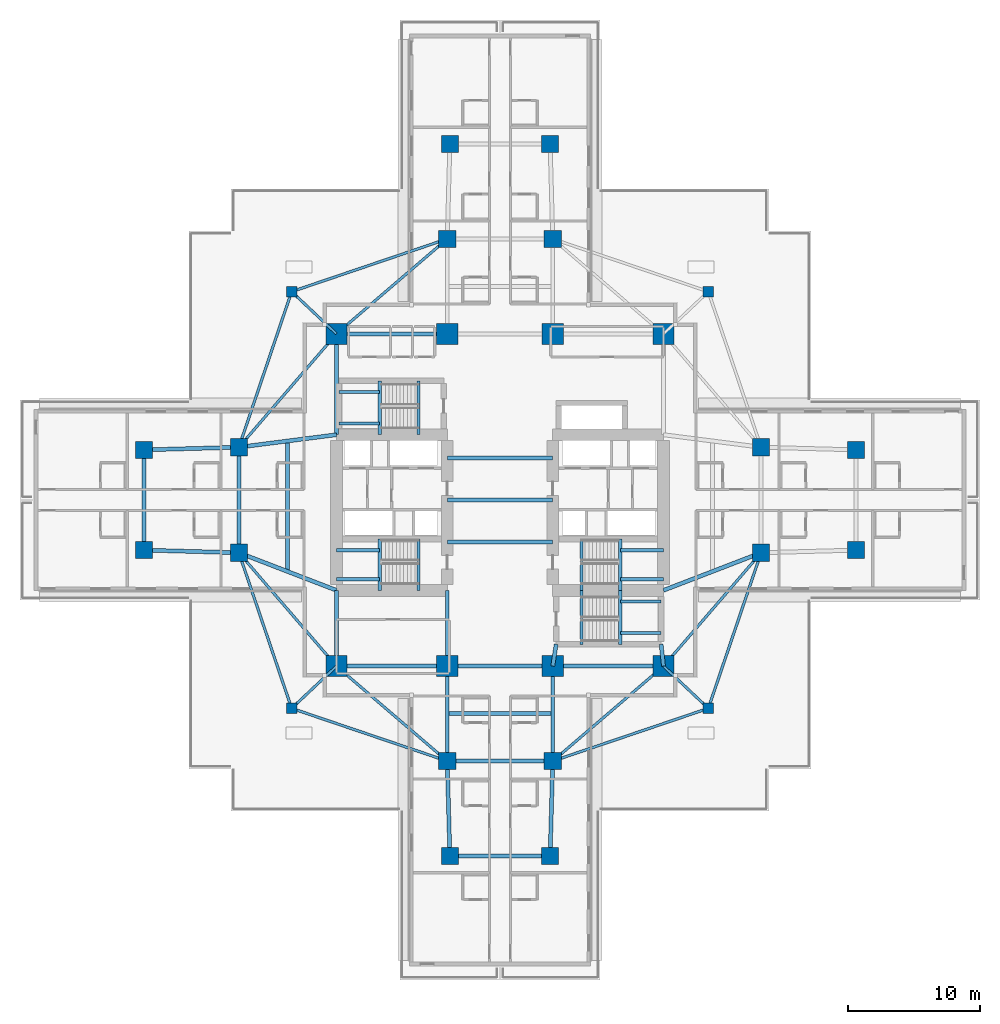
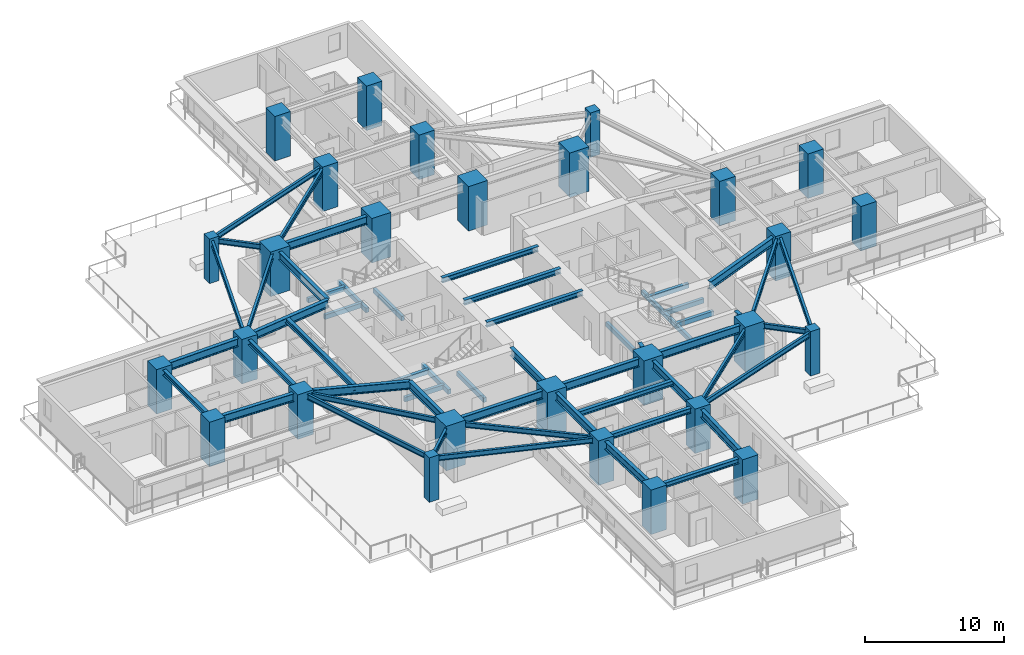
# One storey, part 1 of 15: 58 beams, 28 columns.
"""IFC4 building model written with IfcOpenShell, lengths in metres."""

from ifc_helpers import new_model, si_unit, direction, frame, origin, origin_2d, place, context, subcontext, project, spatial, rectangle, i_section, extrude, material, material_profile, profile_set, type_object, element, save


model = new_model("IFC4")

# Units and contexts
model_context = context("Model", 3, precision=1e-05, world=origin(), true_north=direction((0.0, 1.0)))
body_context = subcontext(model_context, "Body", "Model", "MODEL_VIEW")
ifc_project = project(units=[si_unit("LENGTHUNIT", "METRE"), si_unit("AREAUNIT", "SQUARE_METRE"), si_unit("VOLUMEUNIT", "CUBIC_METRE"), si_unit("PLANEANGLEUNIT", "RADIAN"), si_unit("MASSUNIT", "GRAM", prefix="KILO")], contexts=[model_context])

# Site, building, storey
site_placement = place(None, origin())
site = spatial("IfcSite", under=ifc_project, at=site_placement, CompositionType="ELEMENT")
building_placement = place(site_placement, origin())
building = spatial("IfcBuilding", under=site, at=building_placement, Name="Qingluan Cross Belvedere", CompositionType="ELEMENT")
storey_placement = place(building_placement, frame((0.0, 0.0, 23.699951171875)))
storey = spatial("IfcBuildingStorey", under=building, at=storey_placement, Name="L06", CompositionType="ELEMENT", Elevation=23.699951171875)

# Columns
ifc_material_1 = material(Name="Concrete C60", Category="concrete")
ifc_material_profile_1 = material_profile(ifc_material_1, rectangle(XDim=1.300048828125, YDim=1.300048828125, at=origin_2d()), Name="RC1300x1300")
ifc_profile_set_1 = profile_set([ifc_material_profile_1], Name="Concrete C60")
column_type_1 = type_object("IfcColumnType", Name="Column_RC1300x1300", PredefinedType="COLUMN", material=ifc_profile_set_1)
for number, where, z_axis, x_axis, name in (
    (1, (19.800048828125, -4.0, 0.0), (0.0, 0.0, 1.0), (1.0, 0.0, 0.0), "Arm column L06-EIA"),
    (2, (19.800048828125, 4.0, 0.0), (0.0, 0.0, 1.0), (1.0, 0.0, 0.0), "Arm column L06-EIB"),
    (3, (-19.800048828125, -4.0, 0.0), (0.0, 0.0, 1.0), (1.0, 0.0, 0.0), "Arm column L06-WIA"),
    (4, (-19.800048828125, 4.0, 0.0), (0.0, 0.0, 1.0), (1.0, 0.0, 0.0), "Arm column L06-WIB"),
    (5, (-4.0, -19.800048828125, 0.0), (0.0, 0.0, 1.0), (1.0, 0.0, 0.0), "Arm column L06-SIA"),
    (6, (4.0, -19.800048828125, 0.0), (0.0, 0.0, 1.0), (1.0, 0.0, 0.0), "Arm column L06-SIB"),
    (7, (-4.0, 19.800048828125, 0.0), (0.0, 0.0, 1.0), (1.0, 0.0, 0.0), "Arm column L06-NIA"),
    (8, (4.0, 19.800048828125, 0.0), (0.0, 0.0, 1.0), (1.0, 0.0, 0.0), "Arm column L06-NIB"),
    (9, (27.0, -3.800048828125, 0.0), (0.0, 0.0, 1.0), (1.0, 0.0, 0.0), "Arm column L06-EOA"),
    (10, (27.0, 3.800048828125, 0.0), (0.0, 0.0, 1.0), (1.0, 0.0, 0.0), "Arm column L06-EOB"),
    (11, (-27.0, -3.800048828125, 0.0), (0.0, 0.0, 1.0), (1.0, 0.0, 0.0), "Arm column L06-WOA"),
    (12, (-27.0, 3.800048828125, 0.0), (0.0, 0.0, 1.0), (1.0, 0.0, 0.0), "Arm column L06-WOB"),
    (13, (-3.800048828125, -27.0, 0.0), (0.0, 0.0, 1.0), (1.0, 0.0, 0.0), "Arm column L06-SOA"),
    (14, (3.800048828125, -27.0, 0.0), (0.0, 0.0, 1.0), (1.0, 0.0, 0.0), "Arm column L06-SOB"),
    (15, (-3.800048828125, 27.0, 0.0), (0.0, 0.0, 1.0), (1.0, 0.0, 0.0), "Arm column L06-NOA"),
    (16, (3.800048828125, 27.0, 0.0), (0.0, 0.0, 1.0), (1.0, 0.0, 0.0), "Arm column L06-NOB"),
):
    element("IfcColumn", number, at=place(storey_placement, frame(where, z_axis=z_axis, x_axis=x_axis)), inside=storey, type_object=column_type_1, Name=name, PredefinedType="COLUMN", context=body_context, shape_type="SweptSolid", body=[
        extrude(rectangle(XDim=1.300048828125, YDim=1.300048828125, at=origin_2d()), origin(), (0.0, 0.0, 1.0), 3.900146484375),
    ])
ifc_material_2 = material(Name="Concrete C70", Category="concrete")
ifc_material_profile_2 = material_profile(ifc_material_2, rectangle(XDim=1.60009765625, YDim=1.60009765625, at=origin_2d()), Name="RC1600x1600")
ifc_profile_set_2 = profile_set([ifc_material_profile_2], Name="Concrete C70")
column_type_2 = type_object("IfcColumnType", Name="Column_RC1600x1600", PredefinedType="COLUMN", material=ifc_profile_set_2)
for number, where, z_axis, x_axis, name in (
    (17, (-12.39990234375, -12.60009765625, 0.0), (0.0, 0.0, 1.0), (1.0, 0.0, 0.0), "Hub column L06-HC1"),
    (18, (12.39990234375, -12.60009765625, 0.0), (0.0, 0.0, 1.0), (1.0, 0.0, 0.0), "Hub column L06-HC2"),
    (19, (12.39990234375, 12.60009765625, 0.0), (0.0, 0.0, 1.0), (1.0, 0.0, 0.0), "Hub column L06-HC3"),
    (20, (-12.39990234375, 12.60009765625, 0.0), (0.0, 0.0, 1.0), (1.0, 0.0, 0.0), "Hub column L06-HC4"),
    (21, (-4.0, -12.60009765625, 0.0), (0.0, 0.0, 1.0), (1.0, 0.0, 0.0), "Hub column L06-HC5"),
    (22, (4.0, -12.60009765625, 0.0), (0.0, 0.0, 1.0), (1.0, 0.0, 0.0), "Hub column L06-HC6"),
    (23, (4.0, 12.60009765625, 0.0), (0.0, 0.0, 1.0), (1.0, 0.0, 0.0), "Hub column L06-HC7"),
    (24, (-4.0, 12.60009765625, 0.0), (0.0, 0.0, 1.0), (1.0, 0.0, 0.0), "Hub column L06-HC8"),
):
    element("IfcColumn", number, at=place(storey_placement, frame(where, z_axis=z_axis, x_axis=x_axis)), inside=storey, type_object=column_type_2, Name=name, PredefinedType="COLUMN", context=body_context, shape_type="SweptSolid", body=[
        extrude(rectangle(XDim=1.60009765625, YDim=1.60009765625, at=origin_2d()), origin(), (0.0, 0.0, 1.0), 3.900146484375),
    ])
ifc_material_3 = material(Name="Concrete C50", Category="concrete")
ifc_material_profile_3 = material_profile(ifc_material_3, rectangle(XDim=0.800048828125, YDim=0.800048828125, at=origin_2d()), Name="RC800x800")
ifc_profile_set_3 = profile_set([ifc_material_profile_3], Name="Concrete C50")
column_type_3 = type_object("IfcColumnType", Name="Column_RC800x800", PredefinedType="COLUMN", material=ifc_profile_set_3)
for number, where, z_axis, x_axis, name in (
    (25, (15.800048828125, 15.800048828125, 0.0), (0.0, 0.0, 1.0), (1.0, 0.0, 0.0), "Corner column L06-RNE"),
    (26, (-15.800048828125, 15.800048828125, 0.0), (0.0, 0.0, 1.0), (1.0, 0.0, 0.0), "Corner column L06-RNW"),
    (27, (-15.800048828125, -15.800048828125, 0.0), (0.0, 0.0, 1.0), (1.0, 0.0, 0.0), "Corner column L06-RSW"),
    (28, (15.800048828125, -15.800048828125, 0.0), (0.0, 0.0, 1.0), (1.0, 0.0, 0.0), "Corner column L06-RSE"),
):
    element("IfcColumn", number, at=place(storey_placement, frame(where, z_axis=z_axis, x_axis=x_axis)), inside=storey, type_object=column_type_3, Name=name, PredefinedType="COLUMN", context=body_context, shape_type="SweptSolid", body=[
        extrude(rectangle(XDim=0.800048828125, YDim=0.800048828125, at=origin_2d()), origin(), (0.0, 0.0, 1.0), 3.900146484375),
    ])

# Beams
ifc_material_4 = material(Name="Concrete C45", Category="concrete")
ifc_material_profile_4 = material_profile(ifc_material_4, rectangle(XDim=0.25, YDim=0.39990234375, at=origin_2d()), Name="RC250x400")
ifc_profile_set_4 = profile_set([ifc_material_profile_4], Name="Concrete C45")
beam_type_1 = type_object("IfcBeamType", Name="RC_Lintel_RC250x400", PredefinedType="LINTEL", material=ifc_profile_set_4)
for number, where, z_axis, x_axis, name in (
    (29, (-6.179931640625, -6.85009765625, -0.199951171875), (0.0, 1.0, 0.0), (-1.0, 0.0, 0.0), "Stair ST1 landing beam L06"),
    (30, (6.179931640625, -6.85009765625, -0.199951171875), (0.0, 1.0, 0.0), (-1.0, 0.0, 0.0), "Stair ST2 landing beam L06"),
):
    element("IfcBeam", number, at=place(storey_placement, frame(where, z_axis=z_axis, x_axis=x_axis)), inside=storey, type_object=beam_type_1, Name=name, PredefinedType="LINTEL", context=body_context, shape_type="SweptSolid", body=[
        extrude(rectangle(XDim=0.25, YDim=0.39990234375, at=origin_2d()), origin(), (0.0, 0.0, 1.0), 3.89013671875),
    ])
beam_1_placement = place(storey_placement, frame((-6.179931640625, 4.949951171875, -0.199951171875), z_axis=(0.0, 1.0, 0.0), x_axis=(-1.0, 0.0, 0.0)))
element("IfcBeam", 31, at=beam_1_placement, inside=storey, type_object=beam_type_1, Name="Stair ST3 landing beam L06", PredefinedType="LINTEL", context=body_context, shape_type="SweptSolid", body=[
    extrude(rectangle(XDim=0.25, YDim=0.39990234375, at=origin_2d()), origin(), (0.0, 0.0, 1.0), 4.090087890625),
])
beam_2_placement = place(storey_placement, frame((6.179931640625, -10.93994140625, -0.199951171875), z_axis=(0.0, 1.0, 0.0), x_axis=(-1.0, 0.0, 0.0)))
element("IfcBeam", 32, at=beam_2_placement, inside=storey, type_object=beam_type_1, Name="Stair ST4 landing beam L06", PredefinedType="LINTEL", context=body_context, shape_type="SweptSolid", body=[
    extrude(rectangle(XDim=0.25, YDim=0.39990234375, at=origin_2d()), origin(), (0.0, 0.0, 1.0), 4.08984375),
])
beam_3_placement = place(storey_placement, frame((-9.1298828125, -6.85009765625, 1.550048828125), z_axis=(0.0, 1.0, 0.0), x_axis=(-1.0, 0.0, 0.0)))
element("IfcBeam", 33, at=beam_3_placement, inside=storey, type_object=beam_type_1, Name="Stair ST1 beam A L06", PredefinedType="LINTEL", context=body_context, shape_type="SweptSolid", body=[
    extrude(rectangle(XDim=0.25, YDim=0.39990234375, at=origin_2d()), origin(), (0.0, 0.0, 1.0), 3.89013671875),
])
for number, where, z_axis, x_axis, name in (
    (34, (-12.39990234375, -6.0, 1.550048828125), (1.0, 0.0, 0.0), (0.0, 1.0, 0.0), "Stair ST1 beam B L06"),
    (35, (-12.39990234375, -3.81005859375, 1.550048828125), (1.0, 0.0, 0.0), (0.0, 1.0, 0.0), "Stair ST1 beam C L06"),
):
    element("IfcBeam", number, at=place(storey_placement, frame(where, z_axis=z_axis, x_axis=x_axis)), inside=storey, type_object=beam_type_1, Name=name, PredefinedType="LINTEL", context=body_context, shape_type="SweptSolid", body=[
        extrude(rectangle(XDim=0.25, YDim=0.39990234375, at=origin_2d()), origin(), (0.0, 0.0, 1.0), 3.27001953125),
    ])
beam_4_placement = place(storey_placement, frame((9.1298828125, -6.85009765625, 1.550048828125), z_axis=(0.0, 1.0, 0.0), x_axis=(-1.0, 0.0, 0.0)))
element("IfcBeam", 36, at=beam_4_placement, inside=storey, type_object=beam_type_1, Name="Stair ST2 beam A L06", PredefinedType="LINTEL", context=body_context, shape_type="SweptSolid", body=[
    extrude(rectangle(XDim=0.25, YDim=0.39990234375, at=origin_2d()), origin(), (0.0, 0.0, 1.0), 3.89013671875),
])
for number, where, z_axis, x_axis, name in (
    (37, (12.39990234375, -6.0, 1.550048828125), (-1.0, 0.0, 0.0), (0.0, -1.0, 0.0), "Stair ST2 beam B L06"),
    (38, (12.39990234375, -3.81005859375, 1.550048828125), (-1.0, 0.0, 0.0), (0.0, -1.0, 0.0), "Stair ST2 beam C L06"),
):
    element("IfcBeam", number, at=place(storey_placement, frame(where, z_axis=z_axis, x_axis=x_axis)), inside=storey, type_object=beam_type_1, Name=name, PredefinedType="LINTEL", context=body_context, shape_type="SweptSolid", body=[
        extrude(rectangle(XDim=0.25, YDim=0.39990234375, at=origin_2d()), origin(), (0.0, 0.0, 1.0), 3.27001953125),
    ])
beam_5_placement = place(storey_placement, frame((-9.1298828125, 4.949951171875, 1.550048828125), z_axis=(0.0, 1.0, 0.0), x_axis=(-1.0, 0.0, 0.0)))
element("IfcBeam", 39, at=beam_5_placement, inside=storey, type_object=beam_type_1, Name="Stair ST3 beam A L06", PredefinedType="LINTEL", context=body_context, shape_type="SweptSolid", body=[
    extrude(rectangle(XDim=0.25, YDim=0.39990234375, at=origin_2d()), origin(), (0.0, 0.0, 1.0), 4.090087890625),
])
for number, where, z_axis, x_axis, name in (
    (40, (-12.219970703125, 5.800048828125, 1.550048828125), (1.0, 0.0, 0.0), (0.0, 1.0, 0.0), "Stair ST3 beam B L06"),
    (41, (-12.219970703125, 8.18994140625, 1.550048828125), (1.0, 0.0, 0.0), (0.0, 1.0, 0.0), "Stair ST3 beam C L06"),
):
    element("IfcBeam", number, at=place(storey_placement, frame(where, z_axis=z_axis, x_axis=x_axis)), inside=storey, type_object=beam_type_1, Name=name, PredefinedType="LINTEL", context=body_context, shape_type="SweptSolid", body=[
        extrude(rectangle(XDim=0.25, YDim=0.39990234375, at=origin_2d()), origin(), (0.0, 0.0, 1.0), 3.090087890625),
    ])
beam_6_placement = place(storey_placement, frame((9.1298828125, -10.93994140625, 1.550048828125), z_axis=(0.0, 1.0, 0.0), x_axis=(-1.0, 0.0, 0.0)))
element("IfcBeam", 42, at=beam_6_placement, inside=storey, type_object=beam_type_1, Name="Stair ST4 beam A L06", PredefinedType="LINTEL", context=body_context, shape_type="SweptSolid", body=[
    extrude(rectangle(XDim=0.25, YDim=0.39990234375, at=origin_2d()), origin(), (0.0, 0.0, 1.0), 4.08984375),
])
for number, where, z_axis, x_axis, name in (
    (43, (12.219970703125, -10.090087890625, 1.550048828125), (-1.0, 0.0, 0.0), (0.0, -1.0, 0.0), "Stair ST4 beam B L06"),
    (44, (12.219970703125, -7.699951171875, 1.550048828125), (-1.0, 0.0, 0.0), (0.0, -1.0, 0.0), "Stair ST4 beam C L06"),
):
    element("IfcBeam", number, at=place(storey_placement, frame(where, z_axis=z_axis, x_axis=x_axis)), inside=storey, type_object=beam_type_1, Name=name, PredefinedType="LINTEL", context=body_context, shape_type="SweptSolid", body=[
        extrude(rectangle(XDim=0.25, YDim=0.39990234375, at=origin_2d()), origin(), (0.0, 0.0, 1.0), 3.090087890625),
    ])
ifc_material_5 = material(Name="Steel Q420GJB", Category="steel")
ifc_material_profile_5 = material_profile(ifc_material_5, i_section(OverallWidth=0.300048828125, OverallDepth=0.43994140625, WebThickness=0.010986328125, FlangeThickness=0.01806640625, FilletRadius=0.02001953125, at=origin_2d()), Name="HM440x300x11x18")
ifc_profile_set_5 = profile_set([ifc_material_profile_5], Name="Steel Q420GJB")
beam_type_2 = type_object("IfcBeamType", Name="Steel_Beam_HM440x300x11x18", PredefinedType="BEAM", material=ifc_profile_set_5)
for number, where, z_axis, x_axis, name in (
    (45, (-4.0, -3.199951171875, 3.47998046875), (1.0, 0.0, 0.0), (0.0, 1.0, 0.0), "Hall beam L06-CH1"),
    (46, (-4.0, 0.0, 3.47998046875), (1.0, 0.0, 0.0), (0.0, 1.0, 0.0), "Hall beam L06-CH2"),
    (47, (-4.0, 3.199951171875, 3.47998046875), (1.0, 0.0, 0.0), (0.0, 1.0, 0.0), "Hall beam L06-CH3"),
    (48, (-19.800048828125, -4.0, 3.47998046875), (0.0, 1.0, 0.0), (-1.0, 0.0, 0.0), "Arm W tie L06"),
):
    element("IfcBeam", number, at=place(storey_placement, frame(where, z_axis=z_axis, x_axis=x_axis)), inside=storey, type_object=beam_type_2, Name=name, PredefinedType="BEAM", context=body_context, shape_type="SweptSolid", body=[
        extrude(i_section(OverallWidth=0.300048828125, OverallDepth=0.43994140625, WebThickness=0.010986328125, FlangeThickness=0.01806640625, FilletRadius=0.02001953125, at=origin_2d()), origin(), (0.0, 0.0, 1.0), 8.0),
    ])
beam_7_placement = place(storey_placement, frame((-16.10009765625, -5.425048828125, 3.47998046875), z_axis=(0.0, 1.0, 0.0), x_axis=(-1.0, 0.0, 0.0)))
element("IfcBeam", 49, at=beam_7_placement, inside=storey, type_object=beam_type_2, Name="Arm W beam L06", PredefinedType="BEAM", context=body_context, shape_type="SweptSolid", body=[
    extrude(i_section(OverallWidth=0.300048828125, OverallDepth=0.43994140625, WebThickness=0.010986328125, FlangeThickness=0.01806640625, FilletRadius=0.02001953125, at=origin_2d()), origin(), (0.0, 0.0, 1.0), 9.900146484375),
])
beam_8_placement = place(storey_placement, frame((-27.0, -3.800048828125, 3.47998046875), z_axis=(0.0, 1.0, 0.0), x_axis=(-1.0, 0.0, 0.0)))
element("IfcBeam", 50, at=beam_8_placement, inside=storey, type_object=beam_type_2, Name="Arm W tip transverse beam L06", PredefinedType="BEAM", context=body_context, shape_type="SweptSolid", body=[
    extrude(i_section(OverallWidth=0.300048828125, OverallDepth=0.43994140625, WebThickness=0.010986328125, FlangeThickness=0.01806640625, FilletRadius=0.02001953125, at=origin_2d()), origin(), (0.0, 0.0, 1.0), 7.60009765625),
])
for number, where, z_axis, x_axis, name in (
    (51, (-4.0, -19.800048828125, 3.47998046875), (1.0, 0.0, 0.0), (0.0, 1.0, 0.0), "Arm S tie L06"),
    (52, (-4.0, -16.199951171875, 3.47998046875), (1.0, 0.0, 0.0), (0.0, 1.0, 0.0), "Arm S beam L06"),
):
    element("IfcBeam", number, at=place(storey_placement, frame(where, z_axis=z_axis, x_axis=x_axis)), inside=storey, type_object=beam_type_2, Name=name, PredefinedType="BEAM", context=body_context, shape_type="SweptSolid", body=[
        extrude(i_section(OverallWidth=0.300048828125, OverallDepth=0.43994140625, WebThickness=0.010986328125, FlangeThickness=0.01806640625, FilletRadius=0.02001953125, at=origin_2d()), origin(), (0.0, 0.0, 1.0), 8.0),
    ])
beam_9_placement = place(storey_placement, frame((-3.800048828125, -27.0, 3.47998046875), z_axis=(1.0, 0.0, 0.0), x_axis=(0.0, 1.0, 0.0)))
element("IfcBeam", 53, at=beam_9_placement, inside=storey, type_object=beam_type_2, Name="Arm S tip transverse beam L06", PredefinedType="BEAM", context=body_context, shape_type="SweptSolid", body=[
    extrude(i_section(OverallWidth=0.300048828125, OverallDepth=0.43994140625, WebThickness=0.010986328125, FlangeThickness=0.01806640625, FilletRadius=0.02001953125, at=origin_2d()), origin(), (0.0, 0.0, 1.0), 7.60009765625),
])
ifc_material_6 = material(Name="Steel Q420GJB", Category="steel")
ifc_material_profile_6 = material_profile(ifc_material_6, i_section(OverallWidth=0.199951171875, OverallDepth=0.449951171875, WebThickness=0.009033203125, FlangeThickness=0.013916015625, FilletRadius=0.01611328125, at=origin_2d()), Name="HN450x200x9x14")
ifc_profile_set_6 = profile_set([ifc_material_profile_6], Name="Steel Q420GJB")
beam_type_3 = type_object("IfcBeamType", Name="Steel_Beam_HN450x200x9x14", PredefinedType="JOIST", material=ifc_profile_set_6)
beam_10_placement = place(storey_placement, frame((-12.39990234375, 12.60009765625, 3.47509765625), z_axis=(-0.728219948308, 0.685343495546, 0.0), x_axis=(-0.685343495546, -0.728219948308, 0.0)))
element("IfcBeam", 54, at=beam_10_placement, inside=storey, type_object=beam_type_3, Name="Corner beam 1 L06-RNW", PredefinedType="JOIST", context=body_context, shape_type="SweptSolid", body=[
    extrude(i_section(OverallWidth=0.199951171875, OverallDepth=0.449951171875, WebThickness=0.009033203125, FlangeThickness=0.013916015625, FilletRadius=0.01611328125, at=origin_2d()), origin(), (0.0, 0.0, 1.0), 4.669189453125),
])
for number, where, z_axis, x_axis, name in (
    (55, (-15.800048828125, 15.800048828125, 3.47509765625), (0.947066283324, 0.321038089628, 0.0), (-0.321038089628, 0.947066283324, 0.0), "Corner beam 2 L06-RNW"),
    (56, (-15.800048828125, 15.800048828125, 3.47509765625), (-0.321038089628, -0.947066283324, 0.0), (0.947066283324, -0.321038089628, 0.0), "Corner beam 3 L06-RNW"),
):
    element("IfcBeam", number, at=place(storey_placement, frame(where, z_axis=z_axis, x_axis=x_axis)), inside=storey, type_object=beam_type_3, Name=name, PredefinedType="JOIST", context=body_context, shape_type="SweptSolid", body=[
        extrude(i_section(OverallWidth=0.199951171875, OverallDepth=0.449951171875, WebThickness=0.009033203125, FlangeThickness=0.013916015625, FilletRadius=0.01611328125, at=origin_2d()), origin(), (0.0, 0.0, 1.0), 12.45947265625),
    ])
beam_11_placement = place(storey_placement, frame((-12.39990234375, 12.60009765625, 3.47509765625), z_axis=(-0.652245077546, -0.75800815221, 0.0), x_axis=(0.75800815221, -0.652245077546, 0.0)))
element("IfcBeam", 57, at=beam_11_placement, inside=storey, type_object=beam_type_3, Name="Corner beam 4 L06-RNW", PredefinedType="JOIST", context=body_context, shape_type="SweptSolid", body=[
    extrude(i_section(OverallWidth=0.199951171875, OverallDepth=0.449951171875, WebThickness=0.009033203125, FlangeThickness=0.013916015625, FilletRadius=0.01611328125, at=origin_2d()), origin(), (0.0, 0.0, 1.0), 11.345703125),
])
beam_12_placement = place(storey_placement, frame((-12.39990234375, 12.60009765625, 3.47509765625), z_axis=(0.759255044656, 0.650793190779, 0.0), x_axis=(-0.650793190779, 0.759255044656, 0.0)))
element("IfcBeam", 58, at=beam_12_placement, inside=storey, type_object=beam_type_3, Name="Corner beam 5 L06-RNW", PredefinedType="JOIST", context=body_context, shape_type="SweptSolid", body=[
    extrude(i_section(OverallWidth=0.199951171875, OverallDepth=0.449951171875, WebThickness=0.009033203125, FlangeThickness=0.013916015625, FilletRadius=0.01611328125, at=origin_2d()), origin(), (0.0, 0.0, 1.0), 11.063232421875),
])
beam_13_placement = place(storey_placement, frame((-12.39990234375, -12.60009765625, 3.47509765625), z_axis=(-0.728219948308, -0.685343495546, 0.0), x_axis=(0.685343495546, -0.728219948308, 0.0)))
element("IfcBeam", 59, at=beam_13_placement, inside=storey, type_object=beam_type_3, Name="Corner beam 1 L06-RSW", PredefinedType="JOIST", context=body_context, shape_type="SweptSolid", body=[
    extrude(i_section(OverallWidth=0.199951171875, OverallDepth=0.449951171875, WebThickness=0.009033203125, FlangeThickness=0.013916015625, FilletRadius=0.01611328125, at=origin_2d()), origin(), (0.0, 0.0, 1.0), 4.669189453125),
])
for number, where, z_axis, x_axis, name in (
    (60, (-15.800048828125, -15.800048828125, 3.47509765625), (0.947066283324, -0.321038089628, 0.0), (0.321038089628, 0.947066283324, 0.0), "Corner beam 2 L06-RSW"),
    (61, (-15.800048828125, -15.800048828125, 3.47509765625), (-0.321038089628, 0.947066283324, 0.0), (-0.947066283324, -0.321038089628, 0.0), "Corner beam 3 L06-RSW"),
):
    element("IfcBeam", number, at=place(storey_placement, frame(where, z_axis=z_axis, x_axis=x_axis)), inside=storey, type_object=beam_type_3, Name=name, PredefinedType="JOIST", context=body_context, shape_type="SweptSolid", body=[
        extrude(i_section(OverallWidth=0.199951171875, OverallDepth=0.449951171875, WebThickness=0.009033203125, FlangeThickness=0.013916015625, FilletRadius=0.01611328125, at=origin_2d()), origin(), (0.0, 0.0, 1.0), 12.45947265625),
    ])
beam_14_placement = place(storey_placement, frame((-12.39990234375, -12.60009765625, 3.47509765625), z_axis=(-0.652245077546, 0.75800815221, 0.0), x_axis=(-0.75800815221, -0.652245077546, 0.0)))
element("IfcBeam", 62, at=beam_14_placement, inside=storey, type_object=beam_type_3, Name="Corner beam 4 L06-RSW", PredefinedType="JOIST", context=body_context, shape_type="SweptSolid", body=[
    extrude(i_section(OverallWidth=0.199951171875, OverallDepth=0.449951171875, WebThickness=0.009033203125, FlangeThickness=0.013916015625, FilletRadius=0.01611328125, at=origin_2d()), origin(), (0.0, 0.0, 1.0), 11.345703125),
])
beam_15_placement = place(storey_placement, frame((-12.39990234375, -12.60009765625, 3.47509765625), z_axis=(0.759255044656, -0.650793190779, 0.0), x_axis=(0.650793190779, 0.759255044656, 0.0)))
element("IfcBeam", 63, at=beam_15_placement, inside=storey, type_object=beam_type_3, Name="Corner beam 5 L06-RSW", PredefinedType="JOIST", context=body_context, shape_type="SweptSolid", body=[
    extrude(i_section(OverallWidth=0.199951171875, OverallDepth=0.449951171875, WebThickness=0.009033203125, FlangeThickness=0.013916015625, FilletRadius=0.01611328125, at=origin_2d()), origin(), (0.0, 0.0, 1.0), 11.063232421875),
])
beam_16_placement = place(storey_placement, frame((12.39990234375, -12.60009765625, 3.47509765625), z_axis=(0.728219948308, -0.685343495546, 0.0), x_axis=(0.685343495546, 0.728219948308, 0.0)))
element("IfcBeam", 64, at=beam_16_placement, inside=storey, type_object=beam_type_3, Name="Corner beam 1 L06-RSE", PredefinedType="JOIST", context=body_context, shape_type="SweptSolid", body=[
    extrude(i_section(OverallWidth=0.199951171875, OverallDepth=0.449951171875, WebThickness=0.009033203125, FlangeThickness=0.013916015625, FilletRadius=0.01611328125, at=origin_2d()), origin(), (0.0, 0.0, 1.0), 4.669189453125),
])
for number, where, z_axis, x_axis, name in (
    (65, (15.800048828125, -15.800048828125, 3.47509765625), (-0.947066283324, -0.321038089628, 0.0), (0.321038089628, -0.947066283324, 0.0), "Corner beam 2 L06-RSE"),
    (66, (15.800048828125, -15.800048828125, 3.47509765625), (0.321038089628, 0.947066283324, 0.0), (-0.947066283324, 0.321038089628, 0.0), "Corner beam 3 L06-RSE"),
):
    element("IfcBeam", number, at=place(storey_placement, frame(where, z_axis=z_axis, x_axis=x_axis)), inside=storey, type_object=beam_type_3, Name=name, PredefinedType="JOIST", context=body_context, shape_type="SweptSolid", body=[
        extrude(i_section(OverallWidth=0.199951171875, OverallDepth=0.449951171875, WebThickness=0.009033203125, FlangeThickness=0.013916015625, FilletRadius=0.01611328125, at=origin_2d()), origin(), (0.0, 0.0, 1.0), 12.45947265625),
    ])
beam_17_placement = place(storey_placement, frame((12.39990234375, -12.60009765625, 3.47509765625), z_axis=(0.652245077546, 0.75800815221, 0.0), x_axis=(-0.75800815221, 0.652245077546, 0.0)))
element("IfcBeam", 67, at=beam_17_placement, inside=storey, type_object=beam_type_3, Name="Corner beam 4 L06-RSE", PredefinedType="JOIST", context=body_context, shape_type="SweptSolid", body=[
    extrude(i_section(OverallWidth=0.199951171875, OverallDepth=0.449951171875, WebThickness=0.009033203125, FlangeThickness=0.013916015625, FilletRadius=0.01611328125, at=origin_2d()), origin(), (0.0, 0.0, 1.0), 11.345703125),
])
beam_18_placement = place(storey_placement, frame((12.39990234375, -12.60009765625, 3.47509765625), z_axis=(-0.759255044656, -0.650793190779, 0.0), x_axis=(0.650793190779, -0.759255044656, 0.0)))
element("IfcBeam", 68, at=beam_18_placement, inside=storey, type_object=beam_type_3, Name="Corner beam 5 L06-RSE", PredefinedType="JOIST", context=body_context, shape_type="SweptSolid", body=[
    extrude(i_section(OverallWidth=0.199951171875, OverallDepth=0.449951171875, WebThickness=0.009033203125, FlangeThickness=0.013916015625, FilletRadius=0.01611328125, at=origin_2d()), origin(), (0.0, 0.0, 1.0), 11.063232421875),
])
ifc_material_7 = material(Name="Steel Q420GJB", Category="steel")
ifc_material_profile_7 = material_profile(ifc_material_7, i_section(OverallWidth=0.300048828125, OverallDepth=0.699951171875, WebThickness=0.014892578125, FlangeThickness=0.027099609375, FilletRadius=0.027099609375, at=origin_2d()), Name="HEB700")
ifc_profile_set_7 = profile_set([ifc_material_profile_7], Name="Steel Q420GJB")
beam_type_4 = type_object("IfcBeamType", Name="Steel_Girder_HEB700", PredefinedType="USERDEFINED", material=ifc_profile_set_7)
beam_19_placement = place(storey_placement, frame((-12.39990234375, -12.60009765625, 3.35009765625), z_axis=(1.0, 0.0, 0.0), x_axis=(0.0, 1.0, 0.0)))
element("IfcBeam", 69, at=beam_19_placement, inside=storey, type_object=beam_type_4, Name="Hub girder L06-HG-S1", ObjectType="GIRDER", PredefinedType="USERDEFINED", context=body_context, shape_type="SweptSolid", body=[
    extrude(i_section(OverallWidth=0.300048828125, OverallDepth=0.699951171875, WebThickness=0.014892578125, FlangeThickness=0.027099609375, FilletRadius=0.027099609375, at=origin_2d()), origin(), (0.0, 0.0, 1.0), 8.39990234375),
])
beam_20_placement = place(storey_placement, frame((-4.0, -12.60009765625, 3.35009765625), z_axis=(1.0, 0.0, 0.0), x_axis=(0.0, 1.0, 0.0)))
element("IfcBeam", 70, at=beam_20_placement, inside=storey, type_object=beam_type_4, Name="Hub girder L06-HG-S2", ObjectType="GIRDER", PredefinedType="USERDEFINED", context=body_context, shape_type="SweptSolid", body=[
    extrude(i_section(OverallWidth=0.300048828125, OverallDepth=0.699951171875, WebThickness=0.014892578125, FlangeThickness=0.027099609375, FilletRadius=0.027099609375, at=origin_2d()), origin(), (0.0, 0.0, 1.0), 8.0),
])
for number, where, z_axis, x_axis, name in (
    (71, (4.0, -12.60009765625, 3.35009765625), (1.0, 0.0, 0.0), (0.0, 1.0, 0.0), "Hub girder L06-HG-S3"),
    (72, (-12.39990234375, 12.60009765625, 3.35009765625), (1.0, 0.0, 0.0), (0.0, 1.0, 0.0), "Hub girder L06-HG-N1"),
):
    element("IfcBeam", number, at=place(storey_placement, frame(where, z_axis=z_axis, x_axis=x_axis)), inside=storey, type_object=beam_type_4, Name=name, ObjectType="GIRDER", PredefinedType="USERDEFINED", context=body_context, shape_type="SweptSolid", body=[
        extrude(i_section(OverallWidth=0.300048828125, OverallDepth=0.699951171875, WebThickness=0.014892578125, FlangeThickness=0.027099609375, FilletRadius=0.027099609375, at=origin_2d()), origin(), (0.0, 0.0, 1.0), 8.39990234375),
    ])
beam_21_placement = place(storey_placement, frame((-12.39990234375, -12.60009765625, 3.35009765625), z_axis=(0.0, 1.0, 0.0), x_axis=(-1.0, 0.0, 0.0)))
element("IfcBeam", 73, at=beam_21_placement, inside=storey, type_object=beam_type_4, Name="Hub girder L06-HG-W1", ObjectType="GIRDER", PredefinedType="USERDEFINED", context=body_context, shape_type="SweptSolid", body=[
    extrude(i_section(OverallWidth=0.300048828125, OverallDepth=0.699951171875, WebThickness=0.014892578125, FlangeThickness=0.027099609375, FilletRadius=0.027099609375, at=origin_2d()), origin(), (0.0, 0.0, 1.0), 5.75),
])
beam_22_placement = place(storey_placement, frame((-12.39990234375, 4.949951171875, 3.35009765625), z_axis=(0.0, 1.0, 0.0), x_axis=(-1.0, 0.0, 0.0)))
element("IfcBeam", 74, at=beam_22_placement, inside=storey, type_object=beam_type_4, Name="Hub girder L06-HG-W2", ObjectType="GIRDER", PredefinedType="USERDEFINED", context=body_context, shape_type="SweptSolid", body=[
    extrude(i_section(OverallWidth=0.300048828125, OverallDepth=0.699951171875, WebThickness=0.014892578125, FlangeThickness=0.027099609375, FilletRadius=0.027099609375, at=origin_2d()), origin(), (0.0, 0.0, 1.0), 7.650146484375),
])
beam_23_placement = place(storey_placement, frame((12.39990234375, -12.60009765625, 3.35009765625), z_axis=(-0.107751337451, 0.994177876075, 0.0), x_axis=(-0.994177876075, -0.107751337451, 0.0)))
element("IfcBeam", 75, at=beam_23_placement, inside=storey, type_object=beam_type_4, Name="Hub girder L06-HG-E1", ObjectType="GIRDER", PredefinedType="USERDEFINED", context=body_context, shape_type="SweptSolid", body=[
    extrude(i_section(OverallWidth=0.300048828125, OverallDepth=0.699951171875, WebThickness=0.014892578125, FlangeThickness=0.027099609375, FilletRadius=0.027099609375, at=origin_2d()), origin(), (0.0, 0.0, 1.0), 1.669921875),
])
beam_24_placement = place(storey_placement, frame((-4.0, -12.60009765625, 3.35009765625), z_axis=(0.0, 1.0, 0.0), x_axis=(-1.0, 0.0, 0.0)))
element("IfcBeam", 76, at=beam_24_placement, inside=storey, type_object=beam_type_4, Name="Hub girder L06-HG-CW", ObjectType="GIRDER", PredefinedType="USERDEFINED", context=body_context, shape_type="SweptSolid", body=[
    extrude(i_section(OverallWidth=0.300048828125, OverallDepth=0.699951171875, WebThickness=0.014892578125, FlangeThickness=0.027099609375, FilletRadius=0.027099609375, at=origin_2d()), origin(), (0.0, 0.0, 1.0), 5.75),
])
beam_25_placement = place(storey_placement, frame((4.0, -12.60009765625, 3.35009765625), z_axis=(0.154731433337, 0.987956569662, 0.0), x_axis=(-0.987956569662, 0.154731433337, 0.0)))
element("IfcBeam", 77, at=beam_25_placement, inside=storey, type_object=beam_type_4, Name="Hub girder L06-HG-CE", ObjectType="GIRDER", PredefinedType="USERDEFINED", context=body_context, shape_type="SweptSolid", body=[
    extrude(i_section(OverallWidth=0.300048828125, OverallDepth=0.699951171875, WebThickness=0.014892578125, FlangeThickness=0.027099609375, FilletRadius=0.027099609375, at=origin_2d()), origin(), (0.0, 0.0, 1.0), 1.680419921875),
])
for number, where, z_axis, x_axis, name in (
    (78, (12.39990234375, -6.85009765625, 3.35009765625), (0.933181258889, 0.359406090735, 0.0), (-0.359406090735, 0.933181258889, 0.0), "Arm E radial girder A L06"),
    (79, (-12.39990234375, -6.85009765625, 3.35009765625), (-0.933181258889, 0.359406090735, 0.0), (-0.359406090735, -0.933181258889, 0.0), "Arm W radial girder A L06"),
):
    element("IfcBeam", number, at=place(storey_placement, frame(where, z_axis=z_axis, x_axis=x_axis)), inside=storey, type_object=beam_type_4, Name=name, ObjectType="GIRDER", PredefinedType="USERDEFINED", context=body_context, shape_type="SweptSolid", body=[
        extrude(i_section(OverallWidth=0.300048828125, OverallDepth=0.699951171875, WebThickness=0.014892578125, FlangeThickness=0.027099609375, FilletRadius=0.027099609375, at=origin_2d()), origin(), (0.0, 0.0, 1.0), 7.929931640625),
    ])
beam_26_placement = place(storey_placement, frame((-12.39990234375, 4.949951171875, 3.35009765625), z_axis=(-0.991861120628, -0.12732445714, 0.0), x_axis=(0.12732445714, -0.991861120628, 0.0)))
element("IfcBeam", 80, at=beam_26_placement, inside=storey, type_object=beam_type_4, Name="Arm W radial girder B L06", ObjectType="GIRDER", PredefinedType="USERDEFINED", context=body_context, shape_type="SweptSolid", body=[
    extrude(i_section(OverallWidth=0.300048828125, OverallDepth=0.699951171875, WebThickness=0.014892578125, FlangeThickness=0.027099609375, FilletRadius=0.027099609375, at=origin_2d()), origin(), (0.0, 0.0, 1.0), 7.4609375),
])
for number, where, z_axis, x_axis, name in (
    (81, (-19.800048828125, -4.0, 3.35009765625), (-0.999614603568, 0.027760481514, 0.0), (-0.027760481514, -0.999614603568, 0.0), "Arm W outer radial girder A L06"),
    (82, (-19.800048828125, 4.0, 3.35009765625), (-0.999614603568, -0.027760481514, 0.0), (0.027760481514, -0.999614603568, 0.0), "Arm W outer radial girder B L06"),
):
    element("IfcBeam", number, at=place(storey_placement, frame(where, z_axis=z_axis, x_axis=x_axis)), inside=storey, type_object=beam_type_4, Name=name, ObjectType="GIRDER", PredefinedType="USERDEFINED", context=body_context, shape_type="SweptSolid", body=[
        extrude(i_section(OverallWidth=0.300048828125, OverallDepth=0.699951171875, WebThickness=0.014892578125, FlangeThickness=0.027099609375, FilletRadius=0.027099609375, at=origin_2d()), origin(), (0.0, 0.0, 1.0), 7.20263671875),
    ])
for number, where, z_axis, x_axis, name in (
    (83, (-4.0, -12.60009765625, 3.35009765625), (0.0, -1.0, 0.0), (1.0, 0.0, 0.0), "Arm S radial girder A L06"),
    (84, (4.0, -12.60009765625, 3.35009765625), (0.0, -1.0, 0.0), (1.0, 0.0, 0.0), "Arm S radial girder B L06"),
):
    element("IfcBeam", number, at=place(storey_placement, frame(where, z_axis=z_axis, x_axis=x_axis)), inside=storey, type_object=beam_type_4, Name=name, ObjectType="GIRDER", PredefinedType="USERDEFINED", context=body_context, shape_type="SweptSolid", body=[
        extrude(i_section(OverallWidth=0.300048828125, OverallDepth=0.699951171875, WebThickness=0.014892578125, FlangeThickness=0.027099609375, FilletRadius=0.027099609375, at=origin_2d()), origin(), (0.0, 0.0, 1.0), 7.199951171875),
    ])
for number, where, z_axis, x_axis, name in (
    (85, (-4.0, -19.800048828125, 3.35009765625), (0.027760481514, -0.999614603568, 0.0), (0.999614603568, 0.027760481514, 0.0), "Arm S outer radial girder A L06"),
    (86, (4.0, -19.800048828125, 3.35009765625), (-0.027760481514, -0.999614603568, 0.0), (0.999614603568, -0.027760481514, 0.0), "Arm S outer radial girder B L06"),
):
    element("IfcBeam", number, at=place(storey_placement, frame(where, z_axis=z_axis, x_axis=x_axis)), inside=storey, type_object=beam_type_4, Name=name, ObjectType="GIRDER", PredefinedType="USERDEFINED", context=body_context, shape_type="SweptSolid", body=[
        extrude(i_section(OverallWidth=0.300048828125, OverallDepth=0.699951171875, WebThickness=0.014892578125, FlangeThickness=0.027099609375, FilletRadius=0.027099609375, at=origin_2d()), origin(), (0.0, 0.0, 1.0), 7.20263671875),
    ])

save(model, "model.ifc")
